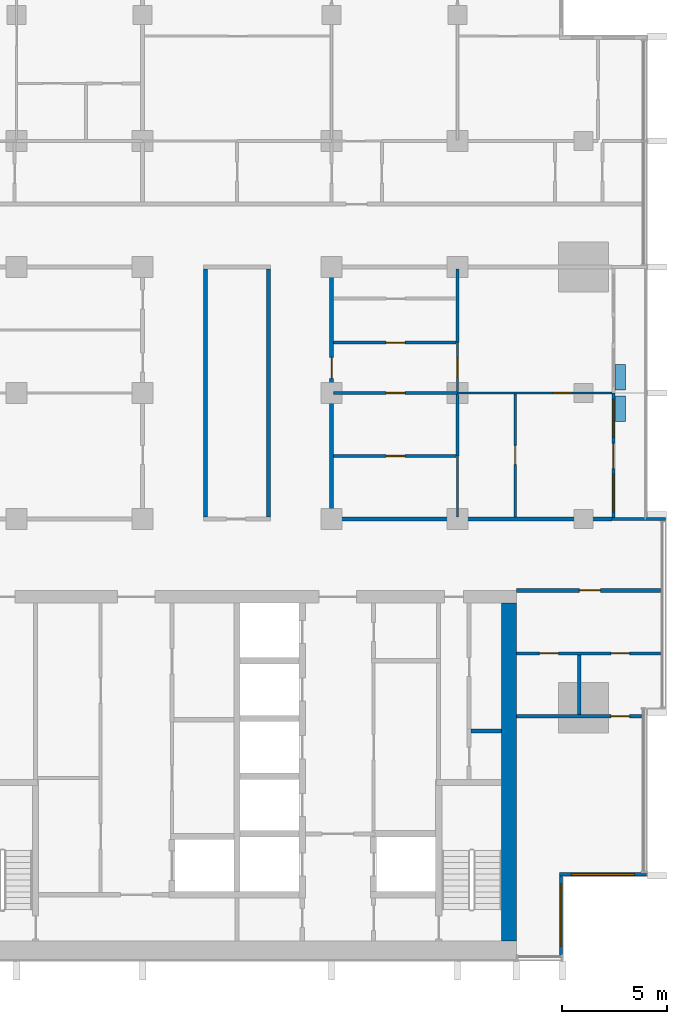
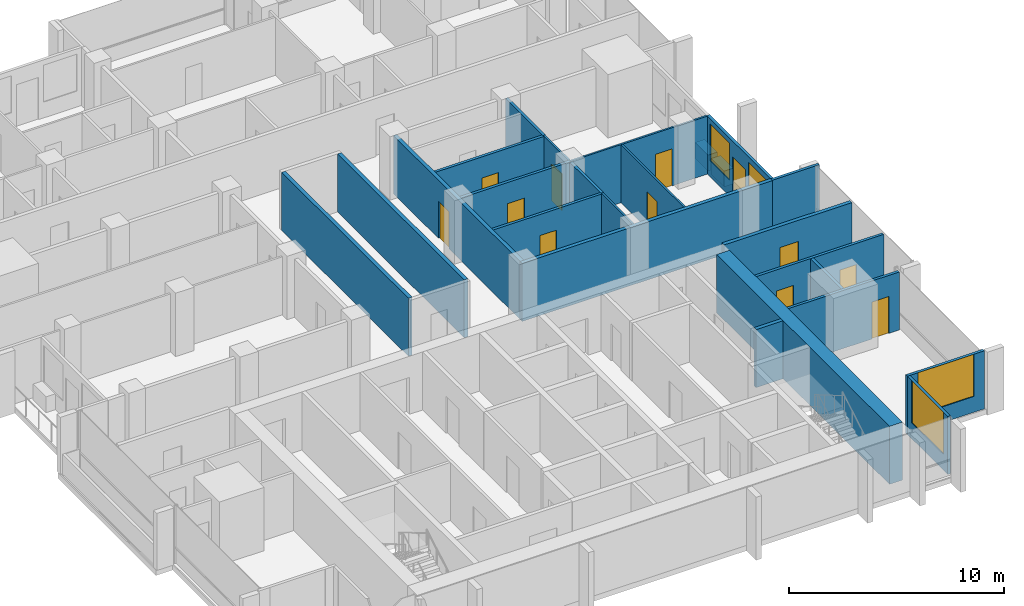
# One storey, part 9 of 17: 25 walls, 12 doors, 4 windows, 16 openings.
"""IFC4 building model written with IfcOpenShell, lengths in metres."""

import ifcopenshell
import ifcopenshell.guid

model = None  # the IFC model being written
_history = None  # IfcOwnerHistory: only IFC2X3 demands one
_inside = {}  # id of a spatial element -> (the spatial element, [elements in it])
_under = {}  # id of a project, library or spatial element -> (it, [spatial elements below it])
_declared = {}  # id of a project -> (the project, [libraries it declares])
_typed = {}  # id of a type object -> (the type object, [elements of that type])
_made_of = {}  # id of a material, layer set ... -> (it, [elements and type objects made of it])


def new_model(schema):
    """Start an empty IFC model of exactly this schema.

    Asked for "IFC4X3", IfcOpenShell would pick the latest addendum, in which some entities
    have other attributes; the version numbers below select the first issue.
    IFC2X3 requires an IfcOwnerHistory on every rooted entity: one is made here for all.
    """
    global model, _history
    if schema == "IFC4X3":
        model = ifcopenshell.file(schema_version=(4, 3, 0, 0))
    else:
        model = ifcopenshell.file(schema=schema)
    _inside.clear()
    _under.clear()
    _declared.clear()
    _typed.clear()
    _made_of.clear()
    _history = None
    if model.schema == "IFC2X3":
        org = make("IfcOrganization", Name="unknown")
        user = make(
            "IfcPersonAndOrganization",
            ThePerson=make("IfcPerson", FamilyName="unknown"),
            TheOrganization=org,
        )
        app = make(
            "IfcApplication",
            ApplicationDeveloper=org,
            Version="unknown",
            ApplicationFullName="unknown",
            ApplicationIdentifier="unknown",
        )
        _history = make(
            "IfcOwnerHistory",
            OwningUser=user,
            OwningApplication=app,
            ChangeAction="ADDED",
            CreationDate=0,
        )
    return model


def make(cls, **values):
    """One entity of the class cls with the attributes given. An attribute that is None is left unset."""
    return model.create_entity(
        cls, **{name: value for name, value in values.items() if value is not None}
    )


def rooted(cls, **values):
    """An entity with a GlobalId (a new one), such as an element, a storey or a relation."""
    return make(cls, GlobalId=ifcopenshell.guid.new(), OwnerHistory=_history, **values)


def si_unit(unit_type, name, prefix=None):
    """IfcSIUnit, for example si_unit("LENGTHUNIT", "METRE", prefix="MILLI")."""
    return make("IfcSIUnit", UnitType=unit_type, Prefix=prefix, Name=name)


def assignment(units):
    """IfcUnitAssignment: the units of a project."""
    return None if units is None else make("IfcUnitAssignment", Units=units)


def point(xyz):
    """IfcCartesianPoint."""
    return None if xyz is None else make("IfcCartesianPoint", Coordinates=xyz)


def direction(xyz):
    """IfcDirection."""
    return None if xyz is None else make("IfcDirection", DirectionRatios=xyz)


def frame(location, z_axis=None, x_axis=None):
    """IfcAxis2Placement3D, a coordinate frame: its origin and axes. An axis left out is left unset."""
    return make(
        "IfcAxis2Placement3D",
        Location=point(location),
        Axis=direction(z_axis),
        RefDirection=direction(x_axis),
    )


def frame_2d(location, x_axis=None):
    """IfcAxis2Placement2D, a coordinate frame in the plane: its origin and x axis."""
    return make(
        "IfcAxis2Placement2D", Location=point(location), RefDirection=direction(x_axis)
    )


def origin():
    """The frame at (0, 0, 0) with its axes left unset."""
    return frame((0.0, 0.0, 0.0))


def place(relative_to, where):
    """IfcLocalPlacement: puts the frame where relative to a parent placement (None: the world)."""
    return make(
        "IfcLocalPlacement", PlacementRelTo=relative_to, RelativePlacement=where
    )


def context(
    kind, dimensions, precision=None, world=None, true_north=None, identifier=None
):
    """IfcGeometricRepresentationContext, for example the 3D "Model" context."""
    return make(
        "IfcGeometricRepresentationContext",
        ContextIdentifier=identifier,
        ContextType=kind,
        CoordinateSpaceDimension=dimensions,
        Precision=precision,
        WorldCoordinateSystem=world,
        TrueNorth=true_north,
    )


def subcontext(parent, identifier, kind, view, scale=None):
    """IfcGeometricRepresentationSubContext, for example "Body" below "Model"."""
    return make(
        "IfcGeometricRepresentationSubContext",
        ContextIdentifier=identifier,
        ContextType=kind,
        ParentContext=parent,
        TargetScale=scale,
        TargetView=view,
    )


def project(units=None, contexts=None):
    """IfcProject with its units and contexts."""
    return rooted(
        "IfcProject",
        Name="project",
        RepresentationContexts=contexts,
        UnitsInContext=assignment(units),
    )


def spatial(cls, under=None, at=None, **own):
    """A site, building, storey or space (cls), placed at a placement, below another one or the project."""
    s = rooted(cls, ObjectPlacement=at, **own)
    if under is not None:
        _under.setdefault(under.id(), (under, []))[1].append(s)
    return s


def profile(cls, at=None, kind="AREA", **sizes):
    """A parametric profile (cls). Its sizes go by their IFC names, for example OverallWidth=200.0."""
    return make(cls, ProfileType=kind, Position=at, **sizes)


def rectangle(**sizes):
    """IfcRectangleProfileDef."""
    return profile("IfcRectangleProfileDef", **sizes)


def extrude(swept, where, along, depth):
    """IfcExtrudedAreaSolid: the profile swept, set in the frame where, extruded along a direction by depth."""
    return make(
        "IfcExtrudedAreaSolid",
        SweptArea=swept,
        Position=where,
        ExtrudedDirection=direction(along),
        Depth=depth,
    )


def shape(context_of_items, identifier, shape_type, items):
    """IfcShapeRepresentation: the items that make up one representation, for example the "Body"."""
    return make(
        "IfcShapeRepresentation",
        ContextOfItems=context_of_items,
        RepresentationIdentifier=identifier,
        RepresentationType=shape_type,
        Items=items,
    )


def material(Name=None, Category=None):
    """IfcMaterial."""
    return make("IfcMaterial", Name=Name, Category=Category)


def layer(
    of_material, thickness, ventilated=None, Name=None, Category=None, Priority=None
):
    """IfcMaterialLayer: one layer of a wall or slab, of a material (None: an air gap)."""
    return make(
        "IfcMaterialLayer",
        Material=of_material,
        LayerThickness=thickness,
        IsVentilated=ventilated,
        Name=Name,
        Category=Category,
        Priority=Priority,
    )


def layer_set(layers, Name=None):
    """IfcMaterialLayerSet."""
    return make("IfcMaterialLayerSet", MaterialLayers=layers, LayerSetName=Name)


def made_of(thing, what):
    """Note that an element or type object is made of a material, layer set ...; save() writes the relation."""
    if what is not None:
        _made_of.setdefault(what.id(), (what, []))[1].append(thing)
    return thing


def type_object(cls, material=None, **own):
    """A type object (cls), such as IfcWallType, which elements share."""
    return made_of(rooted(cls, **own), material)


def element(
    cls,
    number,
    at=None,
    inside=None,
    cuts=None,
    type_object=None,
    material=None,
    context=None,
    identifier="Body",
    shape_type=None,
    held_by="IfcProductDefinitionShape",
    body=None,
    shapes=None,
    **own,
):
    """One element of the class cls, such as IfcWall. Its Tag is "e" and its number.

    at: its placement. inside: the storey or other place that contains it. cuts: it is an
    opening in that element (IfcRelVoidsElement). A single representation is given by context,
    identifier, shape_type and body (its items); several are given by shapes. held_by: the class
    of the entity that holds the representations. save() writes the other relations.
    """
    e = rooted(cls, Tag="e%d" % number, ObjectPlacement=at, **own)
    if body is not None:
        shapes = [shape(context, identifier, shape_type, body)]
    if shapes is not None:
        e.Representation = make(held_by, Representations=shapes)
    if inside is not None:
        _inside.setdefault(inside.id(), (inside, []))[1].append(e)
    if cuts is not None:
        rooted(
            "IfcRelVoidsElement", RelatingBuildingElement=cuts, RelatedOpeningElement=e
        )
    if type_object is not None:
        _typed.setdefault(type_object.id(), (type_object, []))[1].append(e)
    return made_of(e, material)


def fill(opening, filler):
    """IfcRelFillsElement: the door or window that sits in an opening."""
    return rooted(
        "IfcRelFillsElement",
        RelatingOpeningElement=opening,
        RelatedBuildingElement=filler,
    )


def aggregate(whole, parts):
    """IfcRelAggregates: a whole, such as a stair, and the parts it consists of."""
    return rooted("IfcRelAggregates", RelatingObject=whole, RelatedObjects=parts)


def save(model, path):
    """Write the relations noted so far, then the file.

    IfcRelAggregates (storeys below a building ...), IfcRelContainedInSpatialStructure (elements
    in a storey), IfcRelDefinesByType, IfcRelAssociatesMaterial and IfcRelDeclares: one each for
    every whole, place, type object, material and project.
    """
    for whole, parts in _under.values():
        aggregate(whole, parts)
    for where, things in _inside.values():
        rooted(
            "IfcRelContainedInSpatialStructure",
            RelatedElements=things,
            RelatingStructure=where,
        )
    for kind, things in _typed.values():
        rooted("IfcRelDefinesByType", RelatedObjects=things, RelatingType=kind)
    for what, things in _made_of.values():
        rooted("IfcRelAssociatesMaterial", RelatedObjects=things, RelatingMaterial=what)
    for by, libraries in _declared.values():
        rooted("IfcRelDeclares", RelatingContext=by, RelatedDefinitions=libraries)
    model.write(path)


model = new_model("IFC4")

# Units and contexts
model_context = context("Model", 3, precision=1e-05, world=origin(), true_north=direction((0.0, 1.0)))
body_context = subcontext(model_context, "Body", "Model", "MODEL_VIEW")
ifc_project = project(units=[si_unit("LENGTHUNIT", "METRE"), si_unit("AREAUNIT", "SQUARE_METRE"), si_unit("VOLUMEUNIT", "CUBIC_METRE"), si_unit("PLANEANGLEUNIT", "RADIAN"), si_unit("MASSUNIT", "GRAM", prefix="KILO")], contexts=[model_context])

# Site, building, storey
site_placement = place(None, origin())
site = spatial("IfcSite", under=ifc_project, at=site_placement, CompositionType="ELEMENT")
building_placement = place(site_placement, origin())
building = spatial("IfcBuilding", under=site, at=building_placement, Name="Finial Court Residences", CompositionType="ELEMENT")
storey_placement = place(building_placement, frame((0.0, 0.0, 152.89990234375)))
storey = spatial("IfcBuildingStorey", under=building, at=storey_placement, Name="L37", CompositionType="ELEMENT", Elevation=152.89990234375)

# Wall
ifc_material_1 = material(Name="Concrete C70/85", Category="concrete")
ifc_layer_1 = layer(ifc_material_1, 0.699951171875)
ifc_layer_set_1 = layer_set([ifc_layer_1], Name="Core outer wall 700 Concrete C70/85")
wall_type_1 = type_object("IfcWallType", Name="Core outer wall 700 Concrete C70/85", PredefinedType="SHEAR", material=ifc_layer_set_1)
wall_1_placement = place(storey_placement, frame((12.949951171875, -24.60009765625, 0.0), z_axis=(0.0, 0.0, 1.0), x_axis=(0.0, 1.0, 0.0)))
element("IfcWall", 1, at=wall_1_placement, inside=storey, type_object=wall_type_1, Name="Core outer wall L37-04", PredefinedType="SHEAR", context=body_context, shape_type="SweptSolid", body=[
    extrude(rectangle(XDim=16.10009765625, YDim=0.699951171875, at=frame_2d((8.050048828125, 0.0))), origin(), (0.0, 0.0, 1.0), 3.300048828125),
])

# Wall, opening, door
ifc_material_2 = material(Name="Gypsum board")
ifc_layer_2 = layer(ifc_material_2, 0.02490234375)
ifc_material_3 = material(Name="Acoustic mineral wool in double frame")
ifc_layer_3 = layer(ifc_material_3, 0.14990234375)
ifc_layer_4 = layer(ifc_material_2, 0.02490234375)
ifc_layer_set_2 = layer_set([ifc_layer_2, ifc_layer_3, ifc_layer_4], Name="Corridor wall 200, 1 hour")
wall_type_2 = type_object("IfcWallType", Name="Corridor wall 200, 1 hour", PredefinedType="PARTITIONING", material=ifc_layer_set_2)
wall_2_placement = place(storey_placement, frame((13.300048828125, -7.89990234375, 0.0), z_axis=(0.0, 0.0, 1.0), x_axis=(1.0, 0.0, 0.0)))
wall_2 = element("IfcWall", 2, at=wall_2_placement, inside=storey, type_object=wall_type_2, Name="Partition L37-005", PredefinedType="PARTITIONING", context=body_context, shape_type="SweptSolid", body=[
    extrude(rectangle(XDim=6.862548828125, YDim=0.199951171875, at=frame_2d((3.43115234375, 0.0))), origin(), (0.0, 0.0, 1.0), 3.300048828125),
])
opening_1_placement = place(wall_2_placement, frame((3.0, 0.0, 0.0)))
opening_1 = element("IfcOpeningElement", 3, at=opening_1_placement, cuts=wall_2, Name="Opening L37-D008", PredefinedType="OPENING", context=body_context, shape_type="SweptSolid", body=[
    extrude(rectangle(XDim=1.0, YDim=2.10009765625, at=frame_2d((0.5, 1.050048828125))), frame((0.0, 0.10986328125, 0.0), z_axis=(0.0, -1.0, 0.0), x_axis=(1.0, 0.0, 0.0)), (0.0, 0.0, 1.0), 0.219970703125),
])
ifc_material_4 = material(Name="Timber door leaf in hollow metal frame", Category="wood")
door_type_1 = type_object("IfcDoorType", Name="Fire door set 1000 x 2100, 30 minutes", OperationType="SINGLE_SWING_LEFT", PredefinedType="DOOR", material=ifc_material_4)
door_1_placement = place(opening_1_placement, origin())
door_1 = element("IfcDoor", 4, at=door_1_placement, inside=storey, type_object=door_type_1, Name="Door L37-D008", OperationType="SINGLE_SWING_RIGHT", OverallHeight=2.10009765625, OverallWidth=1.0, PredefinedType="DOOR", context=body_context, shape_type="SweptSolid", body=[
    extrude(rectangle(XDim=1.0, YDim=2.10009765625, at=frame_2d((0.5, 1.050048828125))), frame((0.0, 0.02490234375, 0.0), z_axis=(0.0, -1.0, 0.0), x_axis=(1.0, 0.0, 0.0)), (0.0, 0.0, 1.0), 0.050048828125),
])
fill(opening_1, door_1)

# Walls
wall_3_placement = place(storey_placement, frame((4.39990234375, -4.5, 0.0), z_axis=(0.0, 0.0, 1.0), x_axis=(1.0, 0.0, 0.0)))
element("IfcWall", 5, at=wall_3_placement, inside=storey, type_object=wall_type_2, Name="Partition L37-008", PredefinedType="PARTITIONING", context=body_context, shape_type="SweptSolid", body=[
    extrude(rectangle(XDim=13.4501953125, YDim=0.199951171875, at=frame_2d((6.72509765625, 0.0))), origin(), (0.0, 0.0, 1.0), 3.300048828125),
])
for number, where, z_axis, x_axis, name in (
    (6, (-1.5, -4.39990234375, 0.0), (0.0, 0.0, 1.0), (0.0, 1.0, 0.0), "Partition L37-042"),
    (7, (1.5, -4.39990234375, 0.0), (0.0, 0.0, 1.0), (0.0, 1.0, 0.0), "Partition L37-044"),
):
    element("IfcWall", number, at=place(storey_placement, frame(where, z_axis=z_axis, x_axis=x_axis)), inside=storey, type_object=wall_type_2, Name=name, PredefinedType="PARTITIONING", context=body_context, shape_type="SweptSolid", body=[
        extrude(rectangle(XDim=11.7998046875, YDim=0.199951171875, at=frame_2d((5.89990234375, 0.0))), origin(), (0.0, 0.0, 1.0), 3.300048828125),
    ])

# Wall, opening, door
wall_4_placement = place(storey_placement, frame((4.5, -4.39990234375, 0.0), z_axis=(0.0, 0.0, 1.0), x_axis=(0.0, 1.0, 0.0)))
wall_4 = element("IfcWall", 8, at=wall_4_placement, inside=storey, type_object=wall_type_2, Name="Partition L37-045", PredefinedType="PARTITIONING", context=body_context, shape_type="SweptSolid", body=[
    extrude(rectangle(XDim=11.7998046875, YDim=0.199951171875, at=frame_2d((5.89990234375, 0.0))), origin(), (0.0, 0.0, 1.0), 3.300048828125),
])
opening_2_placement = place(wall_4_placement, frame((6.60009765625, 0.0, 0.0)))
opening_2 = element("IfcOpeningElement", 9, at=opening_2_placement, cuts=wall_4, Name="Opening L37-D031", PredefinedType="OPENING", context=body_context, shape_type="SweptSolid", body=[
    extrude(rectangle(XDim=1.0, YDim=2.10009765625, at=frame_2d((0.5, 1.050048828125))), frame((0.0, 0.10986328125, 0.0), z_axis=(0.0, -1.0, 0.0), x_axis=(1.0, 0.0, 0.0)), (0.0, 0.0, 1.0), 0.219970703125),
])
door_2_placement = place(opening_2_placement, origin())
door_2 = element("IfcDoor", 10, at=door_2_placement, inside=storey, type_object=door_type_1, Name="Door L37-D031", OperationType="SINGLE_SWING_RIGHT", OverallHeight=2.10009765625, OverallWidth=1.0, PredefinedType="DOOR", context=body_context, shape_type="SweptSolid", body=[
    extrude(rectangle(XDim=1.0, YDim=2.10009765625, at=frame_2d((0.5, 1.050048828125))), frame((0.0, 0.02490234375, 0.0), z_axis=(0.0, -1.0, 0.0), x_axis=(1.0, 0.0, 0.0)), (0.0, 0.0, 1.0), 0.050048828125),
])
fill(opening_2, door_2)

ifc_layer_5 = layer(ifc_material_2, 0.012451171875)
ifc_material_5 = material(Name="Mineral wool in light-gauge frame")
ifc_layer_6 = layer(ifc_material_5, 0.074951171875)
ifc_layer_7 = layer(ifc_material_2, 0.012451171875)
ifc_layer_set_3 = layer_set([ifc_layer_5, ifc_layer_6, ifc_layer_7], Name="Gypsum board partition 100")
wall_type_3 = type_object("IfcWallType", Name="Gypsum board partition 100", PredefinedType="PARTITIONING", material=ifc_layer_set_3)
wall_5_placement = place(storey_placement, frame((10.5, 1.5, 0.0), z_axis=(0.0, 0.0, 1.0), x_axis=(1.0, 0.0, 0.0)))
wall_5 = element("IfcWall", 11, at=wall_5_placement, inside=storey, type_object=wall_type_3, Name="Partition L37-011", PredefinedType="PARTITIONING", context=body_context, shape_type="SweptSolid", body=[
    extrude(rectangle(XDim=7.35009765625, YDim=0.10009765625, at=frame_2d((3.675048828125, 0.0))), origin(), (0.0, 0.0, 1.0), 3.300048828125),
])
opening_3_placement = place(wall_5_placement, frame((4.550048828125, 0.0, 0.0)))
opening_3 = element("IfcOpeningElement", 12, at=opening_3_placement, cuts=wall_5, Name="Opening L37-D011", PredefinedType="OPENING", context=body_context, shape_type="SweptSolid", body=[
    extrude(rectangle(XDim=0.89990234375, YDim=2.10009765625, at=frame_2d((0.449951171875, 1.050048828125))), frame((0.0, 0.06005859375, 0.0), z_axis=(0.0, -1.0, 0.0), x_axis=(1.0, 0.0, 0.0)), (0.0, 0.0, 1.0), 0.1201171875),
])
ifc_material_6 = material(Name="Timber door leaf in timber frame", Category="wood")
door_type_2 = type_object("IfcDoorType", Name="Door set 900 x 2100", OperationType="SINGLE_SWING_LEFT", PredefinedType="DOOR", material=ifc_material_6)
door_3_placement = place(opening_3_placement, origin())
door_3 = element("IfcDoor", 13, at=door_3_placement, inside=storey, type_object=door_type_2, Name="Door L37-D011", OperationType="SINGLE_SWING_RIGHT", OverallHeight=2.10009765625, OverallWidth=0.89990234375, PredefinedType="DOOR", context=body_context, shape_type="SweptSolid", body=[
    extrude(rectangle(XDim=0.89990234375, YDim=2.10009765625, at=frame_2d((0.449951171875, 1.050048828125))), frame((0.0, 0.02490234375, 0.0), z_axis=(0.0, -1.0, 0.0), x_axis=(1.0, 0.0, 0.0)), (0.0, 0.0, 1.0), 0.050048828125),
])
fill(opening_3, door_3)

# Wall
wall_6_placement = place(storey_placement, frame((10.5, -4.39990234375, 0.0), z_axis=(0.0, 0.0, 1.0), x_axis=(0.0, 1.0, 0.0)))
element("IfcWall", 14, at=wall_6_placement, inside=storey, type_object=wall_type_3, Name="Partition L37-049", PredefinedType="PARTITIONING", context=body_context, shape_type="SweptSolid", body=[
    extrude(rectangle(XDim=2.89990234375, YDim=0.10009765625, at=frame_2d((1.449951171875, 0.0))), origin(), (0.0, 0.0, 1.0), 3.300048828125),
])

# Wall, opening, door
wall_7_placement = place(storey_placement, frame((10.5, 1.574951171875, 0.0), z_axis=(0.0, 0.0, 1.0), x_axis=(0.0, 1.0, 0.0)))
wall_7 = element("IfcWall", 15, at=wall_7_placement, inside=storey, type_object=wall_type_3, Name="Partition L37-050", PredefinedType="PARTITIONING", context=body_context, shape_type="SweptSolid", body=[
    extrude(rectangle(XDim=2.324951171875, YDim=0.10009765625, at=frame_2d((1.16259765625, 0.0))), origin(), (0.0, 0.0, 1.0), 3.300048828125),
])
opening_4_placement = place(wall_7_placement, frame((0.699951171875, 0.0, 0.0)))
opening_4 = element("IfcOpeningElement", 16, at=opening_4_placement, cuts=wall_7, Name="Opening L37-D035", PredefinedType="OPENING", context=body_context, shape_type="SweptSolid", body=[
    extrude(rectangle(XDim=0.89990234375, YDim=2.10009765625, at=frame_2d((0.449951171875, 1.050048828125))), frame((0.0, 0.06005859375, 0.0), z_axis=(0.0, -1.0, 0.0), x_axis=(1.0, 0.0, 0.0)), (0.0, 0.0, 1.0), 0.1201171875),
])
door_4_placement = place(opening_4_placement, origin())
door_4 = element("IfcDoor", 17, at=door_4_placement, inside=storey, type_object=door_type_2, Name="Door L37-D035", OperationType="SINGLE_SWING_LEFT", OverallHeight=2.10009765625, OverallWidth=0.89990234375, PredefinedType="DOOR", context=body_context, shape_type="SweptSolid", body=[
    extrude(rectangle(XDim=0.89990234375, YDim=2.10009765625, at=frame_2d((0.449951171875, 1.050048828125))), frame((0.0, 0.02490234375, 0.0), z_axis=(0.0, -1.0, 0.0), x_axis=(1.0, 0.0, 0.0)), (0.0, 0.0, 1.0), 0.050048828125),
])
fill(opening_4, door_4)

wall_8_placement = place(storey_placement, frame((13.25, -4.39990234375, 0.0), z_axis=(0.0, 0.0, 1.0), x_axis=(0.0, 1.0, 0.0)))
wall_8 = element("IfcWall", 18, at=wall_8_placement, inside=storey, type_object=wall_type_3, Name="Partition L37-054", PredefinedType="PARTITIONING", context=body_context, shape_type="SweptSolid", body=[
    extrude(rectangle(XDim=5.849853515625, YDim=0.10009765625, at=frame_2d((2.9248046875, 0.0))), origin(), (0.0, 0.0, 1.0), 3.300048828125),
])
opening_5_placement = place(wall_8_placement, frame((2.5, 0.0, 0.0)))
opening_5 = element("IfcOpeningElement", 19, at=opening_5_placement, cuts=wall_8, Name="Opening L37-D037", PredefinedType="OPENING", context=body_context, shape_type="SweptSolid", body=[
    extrude(rectangle(XDim=0.89990234375, YDim=2.10009765625, at=frame_2d((0.449951171875, 1.050048828125))), frame((0.0, 0.06005859375, 0.0), z_axis=(0.0, -1.0, 0.0), x_axis=(1.0, 0.0, 0.0)), (0.0, 0.0, 1.0), 0.1201171875),
])
door_5_placement = place(opening_5_placement, origin())
door_5 = element("IfcDoor", 20, at=door_5_placement, inside=storey, type_object=door_type_2, Name="Door L37-D037", OperationType="SINGLE_SWING_LEFT", OverallHeight=2.10009765625, OverallWidth=0.89990234375, PredefinedType="DOOR", context=body_context, shape_type="SweptSolid", body=[
    extrude(rectangle(XDim=0.89990234375, YDim=2.10009765625, at=frame_2d((0.449951171875, 1.050048828125))), frame((0.0, 0.02490234375, 0.0), z_axis=(0.0, -1.0, 0.0), x_axis=(1.0, 0.0, 0.0)), (0.0, 0.0, 1.0), 0.050048828125),
])
fill(opening_5, door_5)

ifc_material_7 = material(Name="Moisture-resistant gypsum board")
ifc_layer_8 = layer(ifc_material_7, 0.012451171875)
ifc_layer_9 = layer(ifc_material_5, 0.125)
ifc_layer_10 = layer(ifc_material_7, 0.012451171875)
ifc_layer_set_4 = layer_set([ifc_layer_8, ifc_layer_9, ifc_layer_10], Name="Gypsum board wet-area partition 150")
wall_type_4 = type_object("IfcWallType", Name="Gypsum board wet-area partition 150", PredefinedType="PARTITIONING", material=ifc_layer_set_4)
wall_9_placement = place(storey_placement, frame((13.300048828125, -13.89990234375, 0.0), z_axis=(0.0, 0.0, 1.0), x_axis=(1.0, 0.0, 0.0)))
wall_9 = element("IfcWall", 21, at=wall_9_placement, inside=storey, type_object=wall_type_4, Name="Partition L37-001", PredefinedType="PARTITIONING", context=body_context, shape_type="SweptSolid", body=[
    extrude(rectangle(XDim=5.96240234375, YDim=0.14990234375, at=frame_2d((2.981201171875, 0.0))), origin(), (0.0, 0.0, 1.0), 3.300048828125),
])
opening_6_placement = place(wall_9_placement, frame((4.5, 0.0, 0.0)))
opening_6 = element("IfcOpeningElement", 22, at=opening_6_placement, cuts=wall_9, Name="Opening L37-D002", PredefinedType="OPENING", context=body_context, shape_type="SweptSolid", body=[
    extrude(rectangle(XDim=0.89990234375, YDim=2.10009765625, at=frame_2d((0.449951171875, 1.050048828125))), frame((0.0, 0.0849609375, 0.0), z_axis=(0.0, -1.0, 0.0), x_axis=(1.0, 0.0, 0.0)), (0.0, 0.0, 1.0), 0.169921875),
])
door_6_placement = place(opening_6_placement, origin())
door_6 = element("IfcDoor", 23, at=door_6_placement, inside=storey, type_object=door_type_2, Name="Door L37-D002", OperationType="SINGLE_SWING_RIGHT", OverallHeight=2.10009765625, OverallWidth=0.89990234375, PredefinedType="DOOR", context=body_context, shape_type="SweptSolid", body=[
    extrude(rectangle(XDim=0.89990234375, YDim=2.10009765625, at=frame_2d((0.449951171875, 1.050048828125))), frame((0.0, 0.02490234375, 0.0), z_axis=(0.0, -1.0, 0.0), x_axis=(1.0, 0.0, 0.0)), (0.0, 0.0, 1.0), 0.050048828125),
])
fill(opening_6, door_6)

# Wall, openings, doors
wall_10_placement = place(storey_placement, frame((13.300048828125, -10.89990234375, 0.0), z_axis=(0.0, 0.0, 1.0), x_axis=(1.0, 0.0, 0.0)))
wall_10 = element("IfcWall", 24, at=wall_10_placement, inside=storey, type_object=wall_type_4, Name="Partition L37-003", PredefinedType="PARTITIONING", context=body_context, shape_type="SweptSolid", body=[
    extrude(rectangle(XDim=6.862548828125, YDim=0.14990234375, at=frame_2d((3.43115234375, 0.0))), origin(), (0.0, 0.0, 1.0), 3.300048828125),
])
opening_7_placement = place(wall_10_placement, frame((1.10009765625, 0.0, 0.0)))
opening_7 = element("IfcOpeningElement", 25, at=opening_7_placement, cuts=wall_10, Name="Opening L37-D005", PredefinedType="OPENING", context=body_context, shape_type="SweptSolid", body=[
    extrude(rectangle(XDim=0.89990234375, YDim=2.10009765625, at=frame_2d((0.449951171875, 1.050048828125))), frame((0.0, 0.0849609375, 0.0), z_axis=(0.0, -1.0, 0.0), x_axis=(1.0, 0.0, 0.0)), (0.0, 0.0, 1.0), 0.169921875),
])
opening_8_placement = place(wall_10_placement, frame((4.5, 0.0, 0.0)))
opening_8 = element("IfcOpeningElement", 26, at=opening_8_placement, cuts=wall_10, Name="Opening L37-D006", PredefinedType="OPENING", context=body_context, shape_type="SweptSolid", body=[
    extrude(rectangle(XDim=0.89990234375, YDim=2.10009765625, at=frame_2d((0.449951171875, 1.050048828125))), frame((0.0, 0.0849609375, 0.0), z_axis=(0.0, -1.0, 0.0), x_axis=(1.0, 0.0, 0.0)), (0.0, 0.0, 1.0), 0.169921875),
])
door_7_placement = place(opening_7_placement, origin())
door_7 = element("IfcDoor", 27, at=door_7_placement, inside=storey, type_object=door_type_2, Name="Door L37-D005", OperationType="SINGLE_SWING_LEFT", OverallHeight=2.10009765625, OverallWidth=0.89990234375, PredefinedType="DOOR", context=body_context, shape_type="SweptSolid", body=[
    extrude(rectangle(XDim=0.89990234375, YDim=2.10009765625, at=frame_2d((0.449951171875, 1.050048828125))), frame((0.0, 0.02490234375, 0.0), z_axis=(0.0, -1.0, 0.0), x_axis=(1.0, 0.0, 0.0)), (0.0, 0.0, 1.0), 0.050048828125),
])
fill(opening_7, door_7)
door_8_placement = place(opening_8_placement, origin())
door_8 = element("IfcDoor", 28, at=door_8_placement, inside=storey, type_object=door_type_2, Name="Door L37-D006", OperationType="SINGLE_SWING_RIGHT", OverallHeight=2.10009765625, OverallWidth=0.89990234375, PredefinedType="DOOR", context=body_context, shape_type="SweptSolid", body=[
    extrude(rectangle(XDim=0.89990234375, YDim=2.10009765625, at=frame_2d((0.449951171875, 1.050048828125))), frame((0.0, 0.02490234375, 0.0), z_axis=(0.0, -1.0, 0.0), x_axis=(1.0, 0.0, 0.0)), (0.0, 0.0, 1.0), 0.050048828125),
])
fill(opening_8, door_8)

# Wall, opening, door
wall_11_placement = place(storey_placement, frame((4.60009765625, -1.5, 0.0), z_axis=(0.0, 0.0, 1.0), x_axis=(1.0, 0.0, 0.0)))
wall_11 = element("IfcWall", 29, at=wall_11_placement, inside=storey, type_object=wall_type_4, Name="Partition L37-009", PredefinedType="PARTITIONING", context=body_context, shape_type="SweptSolid", body=[
    extrude(rectangle(XDim=5.824951171875, YDim=0.14990234375, at=frame_2d((2.91259765625, 0.0))), origin(), (0.0, 0.0, 1.0), 3.300048828125),
])
opening_9_placement = place(wall_11_placement, frame((2.5, 0.0, 0.0)))
opening_9 = element("IfcOpeningElement", 30, at=opening_9_placement, cuts=wall_11, Name="Opening L37-D010", PredefinedType="OPENING", context=body_context, shape_type="SweptSolid", body=[
    extrude(rectangle(XDim=0.89990234375, YDim=2.10009765625, at=frame_2d((0.449951171875, 1.050048828125))), frame((0.0, 0.0849609375, 0.0), z_axis=(0.0, -1.0, 0.0), x_axis=(1.0, 0.0, 0.0)), (0.0, 0.0, 1.0), 0.169921875),
])
door_9_placement = place(opening_9_placement, origin())
door_9 = element("IfcDoor", 31, at=door_9_placement, inside=storey, type_object=door_type_2, Name="Door L37-D010", OperationType="SINGLE_SWING_RIGHT", OverallHeight=2.10009765625, OverallWidth=0.89990234375, PredefinedType="DOOR", context=body_context, shape_type="SweptSolid", body=[
    extrude(rectangle(XDim=0.89990234375, YDim=2.10009765625, at=frame_2d((0.449951171875, 1.050048828125))), frame((0.0, 0.02490234375, 0.0), z_axis=(0.0, -1.0, 0.0), x_axis=(1.0, 0.0, 0.0)), (0.0, 0.0, 1.0), 0.050048828125),
])
fill(opening_9, door_9)

wall_12_placement = place(storey_placement, frame((4.60009765625, 1.5, 0.0), z_axis=(0.0, 0.0, 1.0), x_axis=(1.0, 0.0, 0.0)))
wall_12 = element("IfcWall", 32, at=wall_12_placement, inside=storey, type_object=wall_type_4, Name="Partition L37-012", PredefinedType="PARTITIONING", context=body_context, shape_type="SweptSolid", body=[
    extrude(rectangle(XDim=5.89990234375, YDim=0.14990234375, at=frame_2d((2.949951171875, 0.0))), origin(), (0.0, 0.0, 1.0), 3.300048828125),
])
opening_10_placement = place(wall_12_placement, frame((2.5, 0.0, 0.0)))
opening_10 = element("IfcOpeningElement", 33, at=opening_10_placement, cuts=wall_12, Name="Opening L37-D012", PredefinedType="OPENING", context=body_context, shape_type="SweptSolid", body=[
    extrude(rectangle(XDim=0.89990234375, YDim=2.10009765625, at=frame_2d((0.449951171875, 1.050048828125))), frame((0.0, 0.0849609375, 0.0), z_axis=(0.0, -1.0, 0.0), x_axis=(1.0, 0.0, 0.0)), (0.0, 0.0, 1.0), 0.169921875),
])
door_10_placement = place(opening_10_placement, origin())
door_10 = element("IfcDoor", 34, at=door_10_placement, inside=storey, type_object=door_type_2, Name="Door L37-D012", OperationType="SINGLE_SWING_LEFT", OverallHeight=2.10009765625, OverallWidth=0.89990234375, PredefinedType="DOOR", context=body_context, shape_type="SweptSolid", body=[
    extrude(rectangle(XDim=0.89990234375, YDim=2.10009765625, at=frame_2d((0.449951171875, 1.050048828125))), frame((0.0, 0.02490234375, 0.0), z_axis=(0.0, -1.0, 0.0), x_axis=(1.0, 0.0, 0.0)), (0.0, 0.0, 1.0), 0.050048828125),
])
fill(opening_10, door_10)

wall_13_placement = place(storey_placement, frame((4.60009765625, 3.89990234375, 0.0), z_axis=(0.0, 0.0, 1.0), x_axis=(1.0, 0.0, 0.0)))
wall_13 = element("IfcWall", 35, at=wall_13_placement, inside=storey, type_object=wall_type_4, Name="Partition L37-013", PredefinedType="PARTITIONING", context=body_context, shape_type="SweptSolid", body=[
    extrude(rectangle(XDim=5.824951171875, YDim=0.14990234375, at=frame_2d((2.91259765625, 0.0))), origin(), (0.0, 0.0, 1.0), 3.300048828125),
])
opening_11_placement = place(wall_13_placement, frame((2.5, 0.0, 0.0)))
opening_11 = element("IfcOpeningElement", 36, at=opening_11_placement, cuts=wall_13, Name="Opening L37-D013", PredefinedType="OPENING", context=body_context, shape_type="SweptSolid", body=[
    extrude(rectangle(XDim=0.89990234375, YDim=2.10009765625, at=frame_2d((0.449951171875, 1.050048828125))), frame((0.0, 0.0849609375, 0.0), z_axis=(0.0, -1.0, 0.0), x_axis=(1.0, 0.0, 0.0)), (0.0, 0.0, 1.0), 0.169921875),
])
door_11_placement = place(opening_11_placement, origin())
door_11 = element("IfcDoor", 37, at=door_11_placement, inside=storey, type_object=door_type_2, Name="Door L37-D013", OperationType="SINGLE_SWING_RIGHT", OverallHeight=2.10009765625, OverallWidth=0.89990234375, PredefinedType="DOOR", context=body_context, shape_type="SweptSolid", body=[
    extrude(rectangle(XDim=0.89990234375, YDim=2.10009765625, at=frame_2d((0.449951171875, 1.050048828125))), frame((0.0, 0.02490234375, 0.0), z_axis=(0.0, -1.0, 0.0), x_axis=(1.0, 0.0, 0.0)), (0.0, 0.0, 1.0), 0.050048828125),
])
fill(opening_11, door_11)

# Walls
wall_14_placement = place(storey_placement, frame((10.5, -1.5, 0.0), z_axis=(0.0, 0.0, 1.0), x_axis=(0.0, 1.0, 0.0)))
element("IfcWall", 38, at=wall_14_placement, inside=storey, type_object=wall_type_4, Name="Partition L37-052", PredefinedType="PARTITIONING", context=body_context, shape_type="SweptSolid", body=[
    extrude(rectangle(XDim=2.925048828125, YDim=0.14990234375, at=frame_2d((1.46240234375, 0.0))), origin(), (0.0, 0.0, 1.0), 3.300048828125),
])
wall_15_placement = place(storey_placement, frame((10.5, 3.89990234375, 0.0), z_axis=(0.0, 0.0, 1.0), x_axis=(0.0, 1.0, 0.0)))
element("IfcWall", 39, at=wall_15_placement, inside=storey, type_object=wall_type_4, Name="Partition L37-053", PredefinedType="PARTITIONING", context=body_context, shape_type="SweptSolid", body=[
    extrude(rectangle(XDim=3.5, YDim=0.14990234375, at=frame_2d((1.75, 0.0))), origin(), (0.0, 0.0, 1.0), 3.300048828125),
])
wall_16_placement = place(storey_placement, frame((16.300048828125, -13.824951171875, 0.0), z_axis=(0.0, 0.0, 1.0), x_axis=(0.0, 1.0, 0.0)))
element("IfcWall", 40, at=wall_16_placement, inside=storey, type_object=wall_type_4, Name="Partition L37-056", PredefinedType="PARTITIONING", context=body_context, shape_type="SweptSolid", body=[
    extrude(rectangle(XDim=2.849853515625, YDim=0.14990234375, at=frame_2d((1.4248046875, 0.0))), origin(), (0.0, 0.0, 1.0), 3.300048828125),
])

# Wall, opening, window
ifc_material_8 = material(Name="Natural limestone", Category="masonry")
ifc_layer_11 = layer(ifc_material_8, 0.14990234375)
ifc_layer_set_5 = layer_set([ifc_layer_11], Name="Limestone clad wall 150")
wall_type_5 = type_object("IfcWallType", Name="Limestone clad wall 150", PredefinedType="SOLIDWALL", material=ifc_layer_set_5)
wall_17_placement = place(storey_placement, frame((15.425048828125, -21.5, 0.0), z_axis=(0.0, 0.0, 1.0), x_axis=(0.0, -1.0, 0.0)))
wall_17 = element("IfcWall", 41, at=wall_17_placement, inside=storey, type_object=wall_type_5, Name="E-L37-NWE14", PredefinedType="SOLIDWALL", context=body_context, shape_type="SweptSolid", body=[
    extrude(rectangle(XDim=3.762451171875, YDim=0.14990234375, at=frame_2d((1.88134765625, 0.0))), origin(), (0.0, 0.0, 1.0), 3.300048828125),
])
opening_12_placement = place(wall_17_placement, frame((0.4013671875, 0.0, 0.89990234375)))
opening_12 = element("IfcOpeningElement", 42, at=opening_12_placement, cuts=wall_17, Name="Opening WE37-03", PredefinedType="OPENING", context=body_context, shape_type="SweptSolid", body=[
    extrude(rectangle(XDim=2.9599609375, YDim=2.39990234375, at=frame_2d((1.47998046875, 1.199951171875))), frame((0.0, 0.0849609375, 0.0), z_axis=(0.0, -1.0, 0.0), x_axis=(1.0, 0.0, 0.0)), (0.0, 0.0, 1.0), 0.169921875),
])
ifc_material_9 = material(Name="Clear low-e glass", Category="glass")
window_type_1 = type_object("IfcWindowType", Name="Corner window 2960 x 2400", PartitioningType="SINGLE_PANEL", PredefinedType="WINDOW", material=ifc_material_9)
window_1_placement = place(opening_12_placement, origin())
window_1 = element("IfcWindow", 43, at=window_1_placement, inside=storey, type_object=window_type_1, Name="E-L37-NWE14-W1", OverallHeight=2.39990234375, OverallWidth=2.9599609375, PartitioningType="SINGLE_PANEL", PredefinedType="WINDOW", context=body_context, shape_type="SweptSolid", body=[
    extrude(rectangle(XDim=2.9599609375, YDim=2.39990234375, at=frame_2d((1.47998046875, 1.199951171875))), frame((0.0, 0.030029296875, 0.0), z_axis=(0.0, -1.0, 0.0), x_axis=(1.0, 0.0, 0.0)), (0.0, 0.0, 1.0), 0.06005859375),
])
fill(opening_12, window_1)

wall_18_placement = place(storey_placement, frame((19.5, -21.425048828125, 0.0), z_axis=(0.0, 0.0, 1.0), x_axis=(-1.0, 0.0, 0.0)))
wall_18 = element("IfcWall", 44, at=wall_18_placement, inside=storey, type_object=wall_type_5, Name="E-L37-NWS15", PredefinedType="SOLIDWALL", context=body_context, shape_type="SweptSolid", body=[
    extrude(rectangle(XDim=4.14990234375, YDim=0.14990234375, at=frame_2d((2.074951171875, 0.0))), origin(), (0.0, 0.0, 1.0), 3.300048828125),
])
opening_13_placement = place(wall_18_placement, frame((0.574951171875, 0.0, 0.89990234375)))
opening_13 = element("IfcOpeningElement", 45, at=opening_13_placement, cuts=wall_18, Name="Opening WE37-04", PredefinedType="OPENING", context=body_context, shape_type="SweptSolid", body=[
    extrude(rectangle(XDim=3.0, YDim=2.39990234375, at=frame_2d((1.5, 1.199951171875))), frame((0.0, 0.0849609375, 0.0), z_axis=(0.0, -1.0, 0.0), x_axis=(1.0, 0.0, 0.0)), (0.0, 0.0, 1.0), 0.169921875),
])
window_type_2 = type_object("IfcWindowType", Name="Corner window 3000 x 2400", PartitioningType="SINGLE_PANEL", PredefinedType="WINDOW", material=ifc_material_9)
window_2_placement = place(opening_13_placement, origin())
window_2 = element("IfcWindow", 46, at=window_2_placement, inside=storey, type_object=window_type_2, Name="E-L37-NWS15-W1", OverallHeight=2.39990234375, OverallWidth=3.0, PartitioningType="SINGLE_PANEL", PredefinedType="WINDOW", context=body_context, shape_type="SweptSolid", body=[
    extrude(rectangle(XDim=3.0, YDim=2.39990234375, at=frame_2d((1.5, 1.199951171875))), frame((0.0, 0.030029296875, 0.0), z_axis=(0.0, -1.0, 0.0), x_axis=(1.0, 0.0, 0.0)), (0.0, 0.0, 1.0), 0.06005859375),
])
fill(opening_13, window_2)

# Wall
wall_19_placement = place(storey_placement, frame((17.85009765625, -4.5, 0.0), z_axis=(0.0, 0.0, 1.0), x_axis=(1.0, 0.0, 0.0)))
element("IfcWall", 47, at=wall_19_placement, inside=storey, type_object=wall_type_5, Name="E-L37-BALE3-P1", PredefinedType="SOLIDWALL", context=body_context, shape_type="SweptSolid", body=[
    extrude(rectangle(XDim=2.5498046875, YDim=0.14990234375, at=frame_2d((1.27490234375, 0.0))), origin(), (0.0, 0.0, 1.0), 3.300048828125),
])

# Wall, openings, door, windows
wall_20_placement = place(storey_placement, frame((17.925048828125, 1.5, 0.0), z_axis=(0.0, 0.0, 1.0), x_axis=(0.0, -1.0, 0.0)))
wall_20 = element("IfcWall", 48, at=wall_20_placement, inside=storey, type_object=wall_type_5, Name="E-L37-L37-BALE3-W", PredefinedType="SOLIDWALL", context=body_context, shape_type="SweptSolid", body=[
    extrude(rectangle(XDim=5.925048828125, YDim=0.14990234375, at=frame_2d((2.96240234375, 0.0))), origin(), (0.0, 0.0, 1.0), 3.300048828125),
])
opening_14_placement = place(wall_20_placement, frame((2.39990234375, 0.0, 0.0)))
opening_14 = element("IfcOpeningElement", 49, at=opening_14_placement, cuts=wall_20, Name="Opening DE37-02", PredefinedType="OPENING", context=body_context, shape_type="SweptSolid", body=[
    extrude(rectangle(XDim=1.199951171875, YDim=2.39990234375, at=frame_2d((0.60009765625, 1.199951171875))), frame((0.0, 0.0849609375, 0.0), z_axis=(0.0, -1.0, 0.0), x_axis=(1.0, 0.0, 0.0)), (0.0, 0.0, 1.0), 0.169921875),
])
opening_15_placement = place(wall_20_placement, frame((3.862548828125, 0.0, 0.89990234375)))
opening_15 = element("IfcOpeningElement", 50, at=opening_15_placement, cuts=wall_20, Name="Opening WE37-12", PredefinedType="OPENING", context=body_context, shape_type="SweptSolid", body=[
    extrude(rectangle(XDim=1.800048828125, YDim=2.10009765625, at=frame_2d((0.89990234375, 1.050048828125))), frame((0.0, 0.0849609375, 0.0), z_axis=(0.0, -1.0, 0.0), x_axis=(1.0, 0.0, 0.0)), (0.0, 0.0, 1.0), 0.169921875),
])
opening_16_placement = place(wall_20_placement, frame((0.300048828125, 0.0, 0.89990234375)))
opening_16 = element("IfcOpeningElement", 51, at=opening_16_placement, cuts=wall_20, Name="Opening WE37-13", PredefinedType="OPENING", context=body_context, shape_type="SweptSolid", body=[
    extrude(rectangle(XDim=1.800048828125, YDim=2.10009765625, at=frame_2d((0.89990234375, 1.050048828125))), frame((0.0, 0.0849609375, 0.0), z_axis=(0.0, -1.0, 0.0), x_axis=(1.0, 0.0, 0.0)), (0.0, 0.0, 1.0), 0.169921875),
])
ifc_material_10 = material(Name="Bronze anodised aluminium", Category="aluminium")
door_type_3 = type_object("IfcDoorType", Name="Balcony door 1200 x 2400", OperationType="SINGLE_SWING_LEFT", PredefinedType="DOOR", material=ifc_material_10)
door_12_placement = place(opening_14_placement, origin())
door_12 = element("IfcDoor", 52, at=door_12_placement, inside=storey, type_object=door_type_3, Name="E-L37-L37-BALE3-W-D", OperationType="SINGLE_SWING_LEFT", OverallHeight=2.39990234375, OverallWidth=1.199951171875, PredefinedType="DOOR", context=body_context, shape_type="SweptSolid", body=[
    extrude(rectangle(XDim=1.199951171875, YDim=2.39990234375, at=frame_2d((0.60009765625, 1.199951171875))), frame((0.0, 0.02490234375, 0.0), z_axis=(0.0, -1.0, 0.0), x_axis=(1.0, 0.0, 0.0)), (0.0, 0.0, 1.0), 0.050048828125),
])
fill(opening_14, door_12)
window_type_3 = type_object("IfcWindowType", Name="Balcony window 1800 x 2100", PartitioningType="SINGLE_PANEL", PredefinedType="WINDOW", material=ifc_material_9)
window_3_placement = place(opening_15_placement, origin())
window_3 = element("IfcWindow", 53, at=window_3_placement, inside=storey, type_object=window_type_3, Name="E-L37-L37-BALE3-W-W1", OverallHeight=2.10009765625, OverallWidth=1.800048828125, PartitioningType="SINGLE_PANEL", PredefinedType="WINDOW", context=body_context, shape_type="SweptSolid", body=[
    extrude(rectangle(XDim=1.800048828125, YDim=2.10009765625, at=frame_2d((0.89990234375, 1.050048828125))), frame((0.0, 0.030029296875, 0.0), z_axis=(0.0, -1.0, 0.0), x_axis=(1.0, 0.0, 0.0)), (0.0, 0.0, 1.0), 0.06005859375),
])
fill(opening_15, window_3)
window_4_placement = place(opening_16_placement, origin())
window_4 = element("IfcWindow", 54, at=window_4_placement, inside=storey, type_object=window_type_3, Name="E-L37-L37-BALE3-W-W2", OverallHeight=2.10009765625, OverallWidth=1.800048828125, PartitioningType="SINGLE_PANEL", PredefinedType="WINDOW", context=body_context, shape_type="SweptSolid", body=[
    extrude(rectangle(XDim=1.800048828125, YDim=2.10009765625, at=frame_2d((0.89990234375, 1.050048828125))), frame((0.0, 0.030029296875, 0.0), z_axis=(0.0, -1.0, 0.0), x_axis=(1.0, 0.0, 0.0)), (0.0, 0.0, 1.0), 0.06005859375),
])
fill(opening_16, window_4)

# Walls
ifc_material_11 = material(Name="Concrete C40/50", Category="concrete")
ifc_layer_12 = layer(ifc_material_11, 0.10009765625)
ifc_material_12 = material(Name="Planting soil", Category="soil")
ifc_layer_13 = layer(ifc_material_12, 0.300048828125)
ifc_layer_14 = layer(ifc_material_11, 0.10009765625)
ifc_layer_set_6 = layer_set([ifc_layer_12, ifc_layer_13, ifc_layer_14], Name="Planter wall, balcony")
wall_type_6 = type_object("IfcWallType", Name="Planter wall, balcony", PredefinedType="USERDEFINED", material=ifc_layer_set_6)
for number, where, z_axis, x_axis, name in (
    (55, (18.25, 0.14990234375, 0.0), (0.0, 0.0, 1.0), (0.0, 1.0, 0.0), "E-L37-BALE3-PL"),
    (56, (18.25, 1.64990234375, 0.0), (0.0, 0.0, 1.0), (0.0, 1.0, 0.0), "E-L37-BALE4-PL"),
):
    element("IfcWall", number, at=place(storey_placement, frame(where, z_axis=z_axis, x_axis=x_axis)), inside=storey, type_object=wall_type_6, Name=name, ObjectType="PLANTER", PredefinedType="USERDEFINED", context=body_context, shape_type="SweptSolid", body=[
        extrude(rectangle(XDim=1.2001953125, YDim=0.5, at=frame_2d((0.60009765625, 0.0))), origin(), (0.0, 0.0, 1.0), 0.900146484375),
    ])
ifc_material_13 = material(Name="Fire-rated gypsum board partition")
ifc_layer_15 = layer(ifc_material_13, 0.199951171875)
ifc_layer_set_7 = layer_set([ifc_layer_15], Name="Riser room wall 200 EI 120")
wall_type_7 = type_object("IfcWallType", Name="Riser room wall 200 EI 120", PredefinedType="PARTITIONING", material=ifc_layer_set_7)
wall_21_placement = place(storey_placement, frame((11.14990234375, -14.60009765625, 0.0), z_axis=(0.0, 0.0, 1.0), x_axis=(1.0, 0.0, 0.0)))
element("IfcWall", 57, at=wall_21_placement, inside=storey, type_object=wall_type_7, Name="Core partition L37-12", PredefinedType="PARTITIONING", context=body_context, shape_type="SweptSolid", body=[
    extrude(rectangle(XDim=1.4501953125, YDim=0.199951171875, at=frame_2d((0.72509765625, 0.0))), origin(), (0.0, 0.0, 1.0), 3.300048828125),
])

save(model, "model.ifc")
